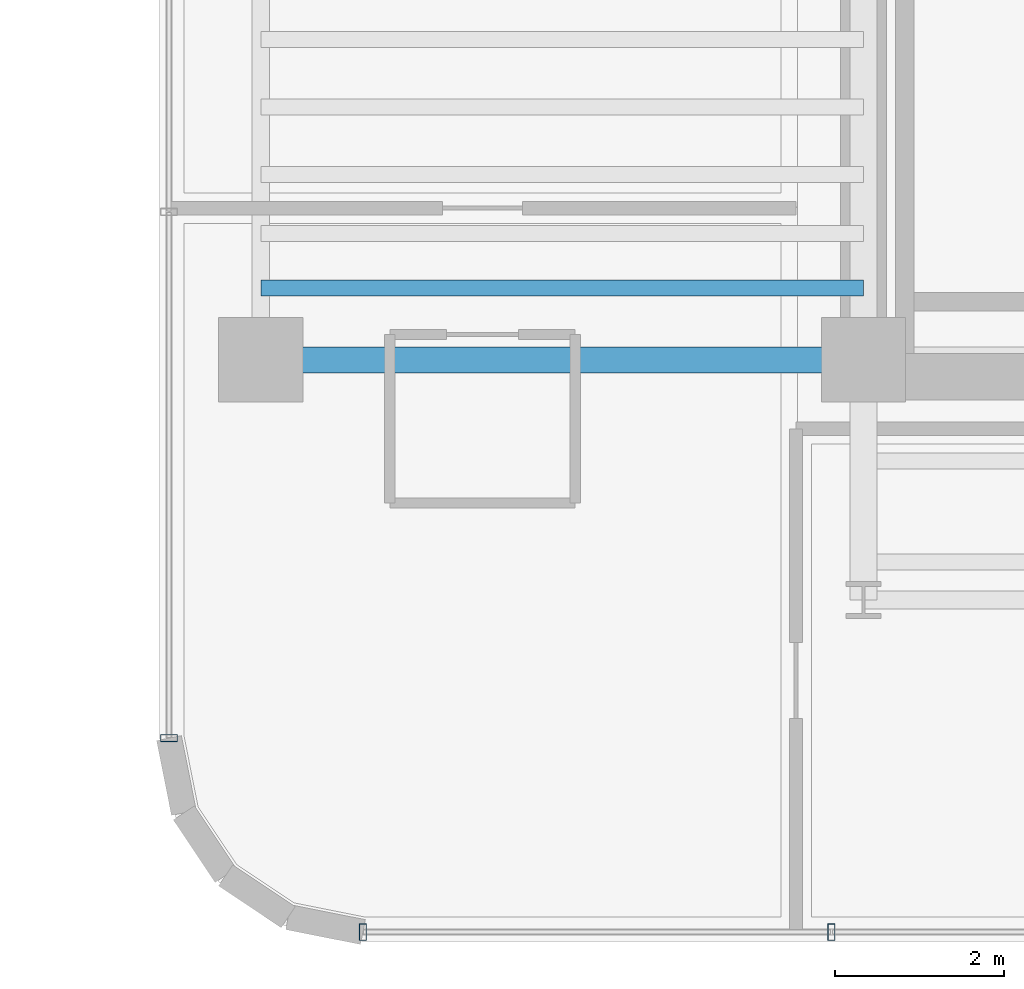
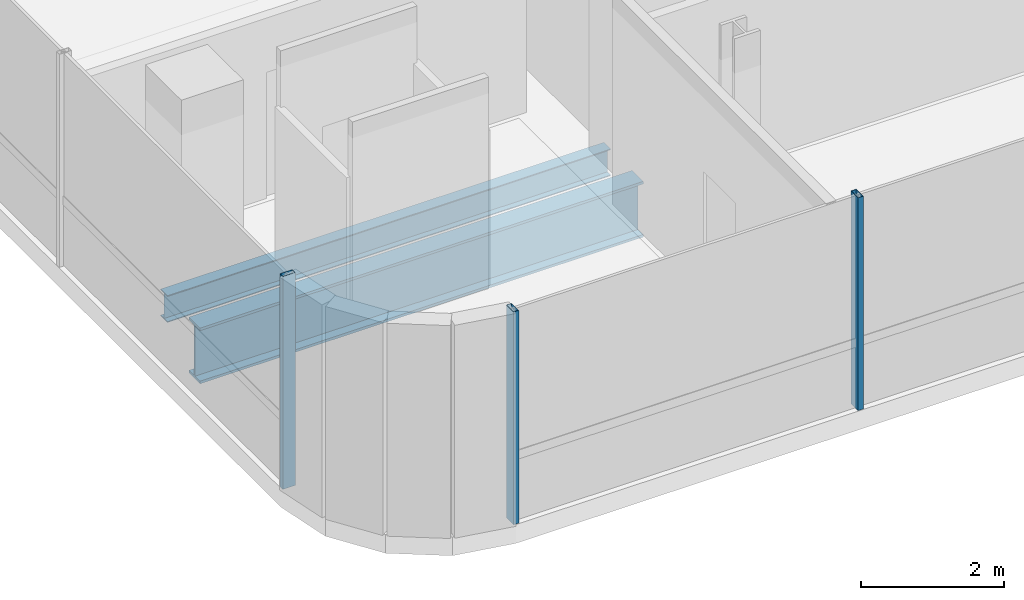
# One storey, part 2 of 36: 3 members, 2 beams, 2 elements without a shape of their own.
"""IFC4 building model written with IfcOpenShell, lengths in metres."""

from ifc_helpers import new_model, si_unit, direction, frame, origin, origin_2d, place, context, subcontext, project, spatial, hollow_rectangle, i_section, extrude, source, transform, mapped, material, material_profile, profile_set, type_object, element, aggregate, save


model = new_model("IFC4")

# Units and contexts
model_context = context("Model", 3, precision=1e-05, world=origin(), true_north=direction((0.0, 1.0)))
body_context = subcontext(model_context, "Body", "Model", "MODEL_VIEW")
ifc_project = project(units=[si_unit("LENGTHUNIT", "METRE"), si_unit("AREAUNIT", "SQUARE_METRE"), si_unit("VOLUMEUNIT", "CUBIC_METRE"), si_unit("PLANEANGLEUNIT", "RADIAN"), si_unit("MASSUNIT", "GRAM", prefix="KILO")], contexts=[model_context])

# Site, building, storey
site_placement = place(None, origin())
site = spatial("IfcSite", under=ifc_project, at=site_placement, CompositionType="ELEMENT")
building_placement = place(site_placement, origin())
building = spatial("IfcBuilding", under=site, at=building_placement, Name="Valdorenza Pilgrim Sanctuary Tower", CompositionType="ELEMENT")
storey_placement = place(building_placement, frame((0.0, 0.0, 176.550048828125)))
storey = spatial("IfcBuildingStorey", under=building, at=storey_placement, Name="L45", CompositionType="ELEMENT", Elevation=176.550048828125)

# Beams
ifc_material_1 = material(Name="Steel ASTM A992 Grade 50", Category="steel")
ifc_material_profile_1 = material_profile(ifc_material_1, i_section(OverallWidth=0.19091796875, OverallDepth=0.45703125, WebThickness=0.009033203125, FlangeThickness=0.014404296875, at=origin_2d()), Name="W18X50")
ifc_profile_set_1 = profile_set([ifc_material_profile_1], Name="Steel ASTM A992 Grade 50")
beam_type_1 = type_object("IfcBeamType", Name="STR-BM-JST-W18B", PredefinedType="JOIST", material=ifc_profile_set_1)
shared_shape_1 = source(origin(), body_context, "Body", "SweptSolid", [
    extrude(i_section(OverallWidth=0.19091796875, OverallDepth=0.45703125, WebThickness=0.009033203125, FlangeThickness=0.014404296875, at=origin_2d()), origin(), (0.0, 0.0, 1.0), 7.150146484375),
])
beam_1_placement = place(storey_placement, frame((-29.800048828125, -9.75, -0.548583984375), z_axis=(1.0, 0.0, 0.0), x_axis=(0.0, 1.0, 0.0)))
element("IfcBeam", 1, at=beam_1_placement, inside=storey, type_object=beam_type_1, Name="L45 Composite Floor Joist JST-WA-1", PredefinedType="JOIST", context=body_context, shape_type="MappedRepresentation", body=[
    mapped(shared_shape_1, transform((0.0, 0.0, 0.0), x_axis=(1.0, 0.0, 0.0), y_axis=(0.0, 1.0, 0.0), z_axis=(0.0, 0.0, 1.0), scale=1.0)),
])
ifc_material_profile_2 = material_profile(ifc_material_1, i_section(OverallWidth=0.31005859375, OverallDepth=0.949951171875, WebThickness=0.0244140625, FlangeThickness=0.0439453125, at=origin_2d()), Name="W36X256")
ifc_profile_set_2 = profile_set([ifc_material_profile_2], Name="Steel ASTM A992 Grade 50")
beam_type_2 = type_object("IfcBeamType", Name="STR-BM-GRD-W36B", PredefinedType="BEAM", material=ifc_profile_set_2)
shared_shape_2 = source(origin(), body_context, "Body", "SweptSolid", [
    extrude(i_section(OverallWidth=0.31005859375, OverallDepth=0.949951171875, WebThickness=0.0244140625, FlangeThickness=0.0439453125, at=origin_2d()), origin(), (0.0, 0.0, 1.0), 7.150146484375),
])
beam_2_placement = place(storey_placement, frame((-29.800048828125, -10.60009765625, -0.795166015625), z_axis=(1.0, 0.0, 0.0), x_axis=(0.0, 1.0, 0.0)))
element("IfcBeam", 2, at=beam_2_placement, inside=storey, type_object=beam_type_2, Name="L45 Floor Girder WA-XW-S1", PredefinedType="BEAM", context=body_context, shape_type="MappedRepresentation", body=[
    mapped(shared_shape_2, transform((0.0, 0.0, 0.0), x_axis=(1.0, 0.0, 0.0), y_axis=(0.0, 1.0, 0.0), z_axis=(0.0, 0.0, 1.0), scale=1.0)),
])

# Curtain wall, member
ifc_material_2 = material(Name="Curtain-wall IGU glazing", Category="glass")
curtain_wall_type = type_object("IfcCurtainWallType", Name="CW-SYS-02", PredefinedType="NOTDEFINED", material=ifc_material_2)
curtain_wall_1_placement = place(storey_placement, origin())
curtain_wall_1 = element("IfcCurtainWall", 3, at=curtain_wall_1_placement, inside=storey, type_object=curtain_wall_type, Name="L45 Curtain Wall CW-L45-1-1S1", PredefinedType="NOTDEFINED")
ifc_material_3 = material(Name="Anodised aluminium AW-6060", Category="aluminium")
ifc_material_profile_3 = material_profile(ifc_material_3, hollow_rectangle(XDim=0.0849609375, YDim=0.199951171875, WallThickness=0.0048828125, at=origin_2d()), Name="ALU-M 200x85x5")
ifc_profile_set_3 = profile_set([ifc_material_profile_3], Name="Anodised aluminium AW-6060")
member_type = type_object("IfcMemberType", Name="CW-MUL-02", PredefinedType="MULLION", material=ifc_profile_set_3)
shared_shape_3 = source(origin(), body_context, "Body", "SweptSolid", [
    extrude(hollow_rectangle(XDim=0.0849609375, YDim=0.199951171875, WallThickness=0.0048828125, at=origin_2d()), origin(), (0.0, 0.0, 1.0), 3.6298828125),
])
member_1_placement = place(storey_placement, frame((-30.889892578125, -15.089111328125, 0.0), z_axis=(0.0, 0.0, 1.0), x_axis=(0.0, 1.0, 0.0)))
member_1 = element("IfcMember", 4, at=member_1_placement, type_object=member_type, Name="CW-L45-1-1S1 Mullion 1", PredefinedType="MULLION", context=body_context, shape_type="MappedRepresentation", body=[
    mapped(shared_shape_3, transform((0.0, 0.0, 0.0), x_axis=(1.0, 0.0, 0.0), y_axis=(0.0, 1.0, 0.0), z_axis=(0.0, 0.0, 1.0), scale=1.0)),
])
aggregate(curtain_wall_1, [member_1])

# Curtain wall, members
curtain_wall_2_placement = place(storey_placement, origin())
curtain_wall_2 = element("IfcCurtainWall", 5, at=curtain_wall_2_placement, inside=storey, type_object=curtain_wall_type, Name="L45 Curtain Wall CW-L45-1-82", PredefinedType="NOTDEFINED")
member_2_placement = place(storey_placement, frame((-23.02978515625, -17.389892578125, 0.0), z_axis=(0.0, 0.0, 1.0), x_axis=(-1.0, 0.0, 0.0)))
member_2 = element("IfcMember", 6, at=member_2_placement, type_object=member_type, Name="CW-L45-1-82 Mullion 3", PredefinedType="MULLION", context=body_context, shape_type="MappedRepresentation", body=[
    mapped(shared_shape_3, transform((0.0, 0.0, 0.0), x_axis=(1.0, 0.0, 0.0), y_axis=(0.0, 1.0, 0.0), z_axis=(0.0, 0.0, 1.0), scale=1.0)),
])
member_3_placement = place(storey_placement, frame((-28.589111328125, -17.389892578125, 0.0), z_axis=(0.0, 0.0, 1.0), x_axis=(-1.0, 0.0, 0.0)))
member_3 = element("IfcMember", 7, at=member_3_placement, type_object=member_type, Name="CW-L45-1-82 Mullion 4", PredefinedType="MULLION", context=body_context, shape_type="MappedRepresentation", body=[
    mapped(shared_shape_3, transform((0.0, 0.0, 0.0), x_axis=(1.0, 0.0, 0.0), y_axis=(0.0, 1.0, 0.0), z_axis=(0.0, 0.0, 1.0), scale=1.0)),
])
aggregate(curtain_wall_2, [member_2, member_3])

save(model, "model.ifc")
